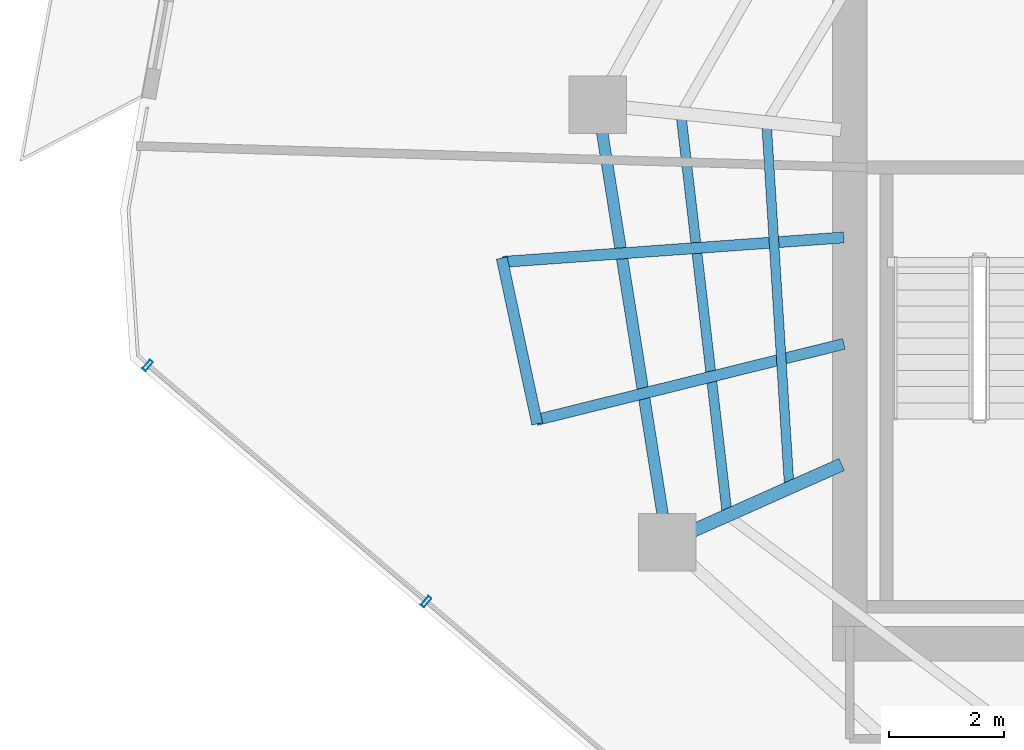
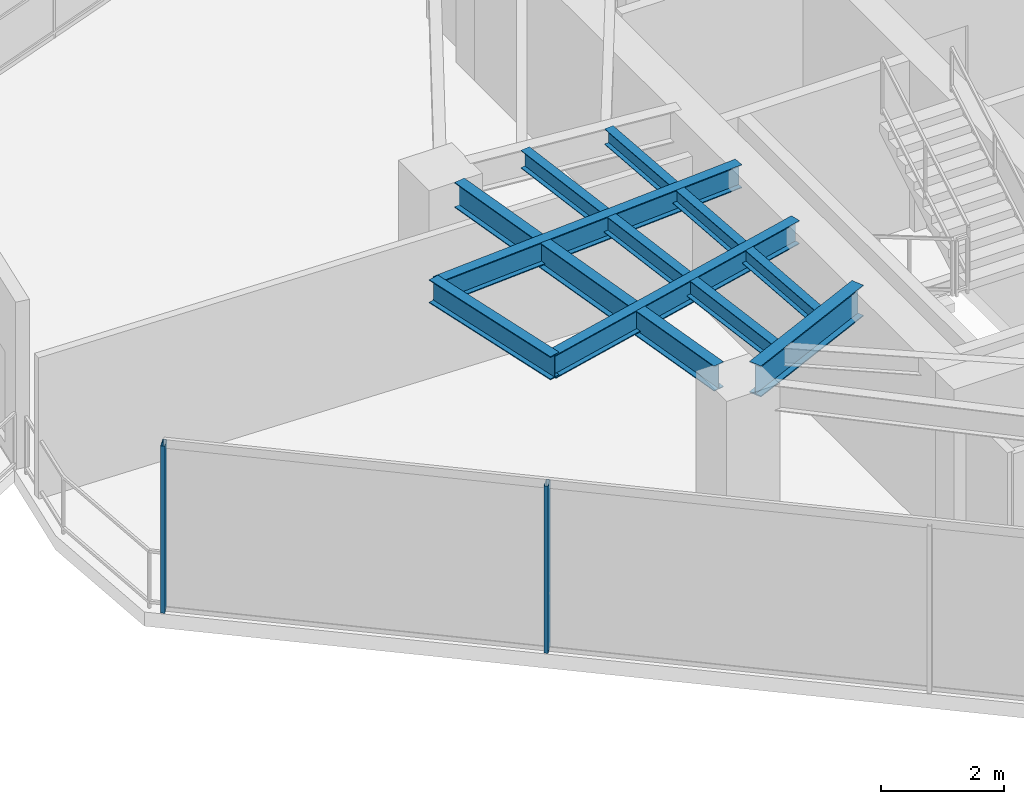
# One storey, part 6 of 21: 7 beams, 2 members, 1 element without a shape of its own.
"""IFC4 building model written with IfcOpenShell, lengths in metres."""

from ifc_helpers import new_model, si_unit, direction, frame, origin, origin_2d, place, context, subcontext, project, spatial, hollow_rectangle, i_section, extrude, material, layer, layer_set, material_profile, profile_set, type_object, element, aggregate, save


model = new_model("IFC4")

# Units and contexts
model_context = context("Model", 3, precision=1e-05, world=origin(), true_north=direction((0.0, 1.0)))
body_context = subcontext(model_context, "Body", "Model", "MODEL_VIEW")
ifc_project = project(units=[si_unit("LENGTHUNIT", "METRE"), si_unit("AREAUNIT", "SQUARE_METRE"), si_unit("VOLUMEUNIT", "CUBIC_METRE"), si_unit("PLANEANGLEUNIT", "RADIAN"), si_unit("MASSUNIT", "GRAM", prefix="KILO")], contexts=[model_context])

# Site, building, storey
site_placement = place(None, origin())
site = spatial("IfcSite", under=ifc_project, at=site_placement, CompositionType="ELEMENT")
building_placement = place(site_placement, origin())
building = spatial("IfcBuilding", under=site, at=building_placement, Name="Qarnah Convention Tower", CompositionType="ELEMENT")
storey_placement = place(building_placement, frame((0.0, 0.0, 140.10009765625)))
storey = spatial("IfcBuildingStorey", under=building, at=storey_placement, Name="L37", CompositionType="ELEMENT", Elevation=140.10009765625)

# Beams
ifc_material_1 = material(Name="Structural steel S355JR", Category="steel")
ifc_material_profile_1 = material_profile(ifc_material_1, i_section(OverallWidth=0.19189453125, OverallDepth=0.464111328125, WebThickness=0.010986328125, FlangeThickness=0.01806640625, at=origin_2d()), Name="W460X89")
ifc_profile_set_1 = profile_set([ifc_material_profile_1], Name="Structural steel S355JR")
beam_type_1 = type_object("IfcBeamType", Name="BM-CANT-W460A", PredefinedType="BEAM", material=ifc_profile_set_1)
beam_1_placement = place(storey_placement, frame((26.699951171875, 25.64794921875, 3.087890625), z_axis=(-0.997431478283, -0.071627132639, 0.0), x_axis=(0.071627132639, -0.997431478283, 0.0)))
element("IfcBeam", 1, at=beam_1_placement, inside=storey, type_object=beam_type_1, Name="L37 beam BM-L37-CNT-02-1", PredefinedType="BEAM", context=body_context, shape_type="SweptSolid", body=[
    extrude(i_section(OverallWidth=0.19189453125, OverallDepth=0.464111328125, WebThickness=0.010986328125, FlangeThickness=0.01806640625, at=origin_2d()), origin(), (0.0, 0.0, 1.0), 5.93408203125),
])
beam_2_placement = place(storey_placement, frame((26.702880859375, 23.802001953125, 3.087890625), z_axis=(-0.970704086067, -0.240278124872, 0.0), x_axis=(0.240278124872, -0.970704086067, 0.0)))
element("IfcBeam", 2, at=beam_2_placement, inside=storey, type_object=beam_type_1, Name="L37 beam BM-L37-CNT-02-2", PredefinedType="BEAM", context=body_context, shape_type="SweptSolid", body=[
    extrude(i_section(OverallWidth=0.19189453125, OverallDepth=0.464111328125, WebThickness=0.010986328125, FlangeThickness=0.01806640625, at=origin_2d()), origin(), (0.0, 0.0, 1.0), 5.498046875),
])
beam_3_placement = place(storey_placement, frame((20.76611328125, 25.291015625, 3.087890625), z_axis=(0.208973836363, -0.977921231857, 0.0), x_axis=(0.977921231857, 0.208973836363, 0.0)))
element("IfcBeam", 3, at=beam_3_placement, inside=storey, type_object=beam_type_1, Name="L37 spandrel BM-L37-CTIE-02", PredefinedType="SPANDREL", context=body_context, shape_type="SweptSolid", body=[
    extrude(i_section(OverallWidth=0.19189453125, OverallDepth=0.464111328125, WebThickness=0.010986328125, FlangeThickness=0.01806640625, at=origin_2d()), origin(), (0.0, 0.0, 1.0), 2.94287109375),
])
ifc_material_profile_2 = material_profile(ifc_material_1, i_section(OverallWidth=0.166015625, OverallDepth=0.31201171875, WebThickness=0.007080078125, FlangeThickness=0.010986328125, at=origin_2d()), Name="W310X45")
ifc_profile_set_2 = profile_set([ifc_material_profile_2], Name="Structural steel S355JR")
beam_type_2 = type_object("IfcBeamType", Name="BM-JST-W310", PredefinedType="JOIST", material=ifc_profile_set_2)
beam_4_placement = place(storey_placement, frame((25.364013671875, 27.553955078125, 3.163818359375), z_axis=(0.062390601432, -0.998051808702, 0.0), x_axis=(0.998051808702, 0.062390601432, 0.0)))
element("IfcBeam", 4, at=beam_4_placement, inside=storey, type_object=beam_type_2, Name="L37 joist BM-L37-IJST-05", PredefinedType="JOIST", context=body_context, shape_type="SweptSolid", body=[
    extrude(i_section(OverallWidth=0.166015625, OverallDepth=0.31201171875, WebThickness=0.007080078125, FlangeThickness=0.010986328125, at=origin_2d()), origin(), (0.0, 0.0, 1.0), 6.1708984375),
])
ifc_material_profile_3 = material_profile(ifc_material_1, i_section(OverallWidth=0.172119140625, OverallDepth=0.35595703125, WebThickness=0.007080078125, FlangeThickness=0.011962890625, at=origin_2d()), Name="W360X51")
ifc_profile_set_3 = profile_set([ifc_material_profile_3], Name="Structural steel S355JR")
beam_type_3 = type_object("IfcBeamType", Name="BM-JST-W360", PredefinedType="JOIST", material=ifc_profile_set_3)
beam_5_placement = place(storey_placement, frame((23.883056640625, 27.7119140625, 3.141845703125), z_axis=(0.114843478179, -0.993383599381, 0.0), x_axis=(0.993383599381, 0.114843478179, 0.0)))
element("IfcBeam", 5, at=beam_5_placement, inside=storey, type_object=beam_type_3, Name="L37 joist BM-L37-SJST-05", PredefinedType="JOIST", context=body_context, shape_type="SweptSolid", body=[
    extrude(i_section(OverallWidth=0.172119140625, OverallDepth=0.35595703125, WebThickness=0.007080078125, FlangeThickness=0.011962890625, at=origin_2d()), origin(), (0.0, 0.0, 1.0), 6.843017578125),
])
ifc_material_profile_4 = material_profile(ifc_material_1, i_section(OverallWidth=0.22998046875, OverallDepth=0.617919921875, WebThickness=0.012939453125, FlangeThickness=0.02197265625, at=origin_2d()), Name="W610X140")
ifc_profile_set_4 = profile_set([ifc_material_profile_4], Name="Structural steel S355JR")
beam_type_4 = type_object("IfcBeamType", Name="BM-RAD-W610A", PredefinedType="BEAM", material=ifc_profile_set_4)
beam_6_placement = place(storey_placement, frame((26.6630859375, 21.708984375, 3.010986328125), z_axis=(-0.913488265638, -0.406865074123, 0.0), x_axis=(0.406865074123, -0.913488265638, 0.0)))
element("IfcBeam", 6, at=beam_6_placement, inside=storey, type_object=beam_type_4, Name="L37 beam BM-L37-RAD-06", PredefinedType="BEAM", context=body_context, shape_type="SweptSolid", body=[
    extrude(i_section(OverallWidth=0.22998046875, OverallDepth=0.617919921875, WebThickness=0.012939453125, FlangeThickness=0.02197265625, at=origin_2d()), origin(), (0.0, 0.0, 1.0), 2.83642578125),
])
ifc_material_profile_5 = material_profile(ifc_material_1, i_section(OverallWidth=0.199951171875, OverallDepth=0.5, WebThickness=0.010009765625, FlangeThickness=0.01611328125, at=origin_2d()), Name="IPE500")
ifc_profile_set_5 = profile_set([ifc_material_profile_5], Name="Structural steel S355JR")
beam_type_5 = type_object("IfcBeamType", Name="BM-SPN-IPE500", PredefinedType="SPANDREL", material=ifc_profile_set_5)
beam_7_placement = place(storey_placement, frame((22.508056640625, 27.468017578125, 3.06982421875), z_axis=(0.156388773261, -0.987695576379, 0.0), x_axis=(0.987695576379, 0.156388773261, 0.0)))
element("IfcBeam", 7, at=beam_7_placement, inside=storey, type_object=beam_type_5, Name="L37 spandrel BM-L37-SPN-05", PredefinedType="SPANDREL", context=body_context, shape_type="SweptSolid", body=[
    extrude(i_section(OverallWidth=0.199951171875, OverallDepth=0.5, WebThickness=0.010009765625, FlangeThickness=0.01611328125, at=origin_2d()), origin(), (0.0, 0.0, 1.0), 6.70654296875),
])

# Curtain wall, members
ifc_material_2 = material(Name="Tempered Low-E dark glass", Category="glass")
ifc_layer = layer(ifc_material_2, 0.172119140625)
ifc_layer_set = layer_set([ifc_layer], Name="Tempered Low-E dark glass")
curtain_wall_type = type_object("IfcCurtainWallType", Name="CWS-03", PredefinedType="NOTDEFINED", material=ifc_layer_set)
curtain_wall_placement = place(storey_placement, origin())
curtain_wall = element("IfcCurtainWall", 8, at=curtain_wall_placement, inside=storey, type_object=curtain_wall_type, Name="L37 unitised curtain wall CW-L37-F2", PredefinedType="NOTDEFINED")
ifc_material_3 = material(Name="Black anodised aluminium", Category="aluminium")
ifc_material_profile_6 = material_profile(ifc_material_3, hollow_rectangle(XDim=0.070068359375, YDim=0.199951171875, WallThickness=0.0048828125, at=origin_2d()), Name="MUL-70X200")
ifc_profile_set_6 = profile_set([ifc_material_profile_6], Name="Black anodised aluminium")
member_type = type_object("IfcMemberType", Name="MUL-T3", PredefinedType="MULLION", material=ifc_profile_set_6)
member_1_placement = place(storey_placement, frame((19.455078125, 19.3291015625, 0.0), z_axis=(0.0, 0.0, 1.0), x_axis=(-0.762449207872, 0.647048070405, 0.0)))
member_1 = element("IfcMember", 9, at=member_1_placement, type_object=member_type, Name="CW-L37-F2 mullion 5", PredefinedType="MULLION", context=body_context, shape_type="SweptSolid", body=[
    extrude(hollow_rectangle(XDim=0.070068359375, YDim=0.199951171875, WallThickness=0.0048828125, at=origin_2d()), origin(), (0.0, 0.0, 1.0), 3.31982421875),
])
member_2_placement = place(storey_placement, frame((14.6240234375, 23.428955078125, 0.0), z_axis=(0.0, 0.0, 1.0), x_axis=(-0.762449207872, 0.647048070405, 0.0)))
member_2 = element("IfcMember", 10, at=member_2_placement, type_object=member_type, Name="CW-L37-F2 mullion 6", PredefinedType="MULLION", context=body_context, shape_type="SweptSolid", body=[
    extrude(hollow_rectangle(XDim=0.070068359375, YDim=0.199951171875, WallThickness=0.0048828125, at=origin_2d()), origin(), (0.0, 0.0, 1.0), 3.31982421875),
])
aggregate(curtain_wall, [member_1, member_2])

save(model, "model.ifc")
